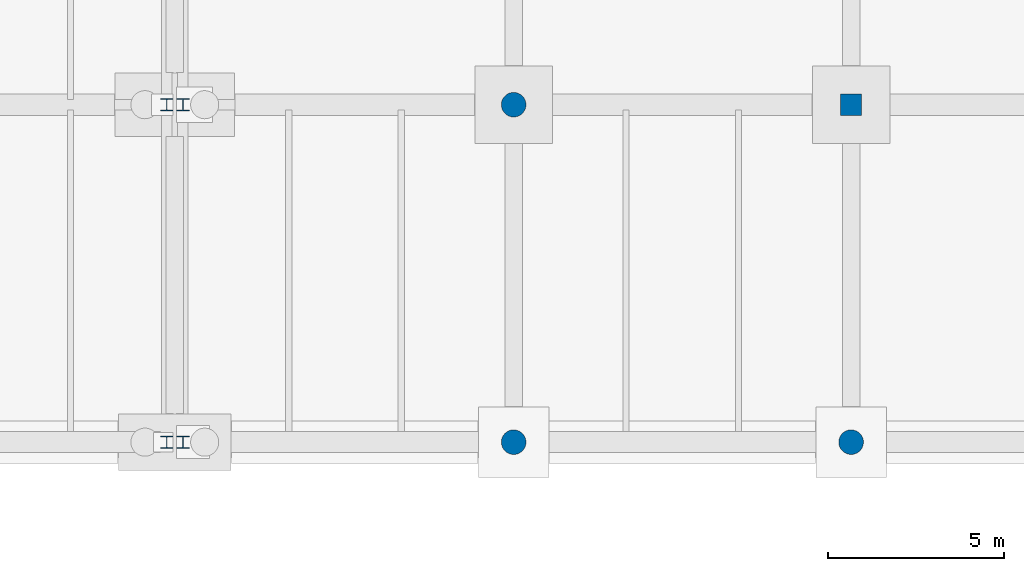
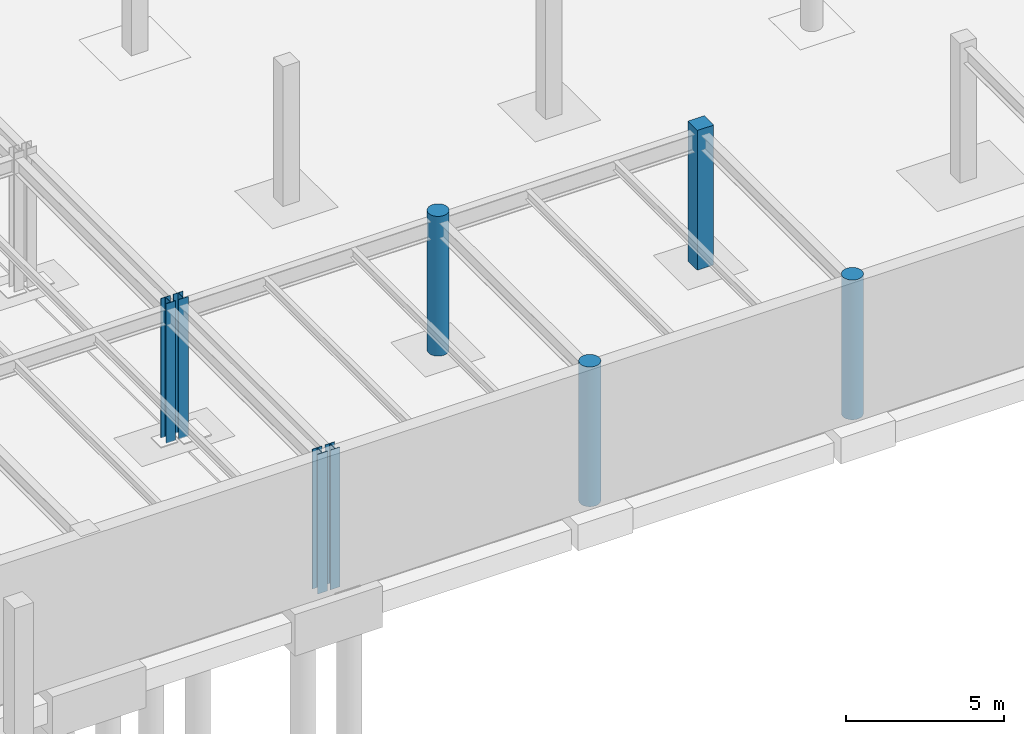
# One storey, part 11 of 50: 8 columns.
"""IFC4 building model written with IfcOpenShell, lengths in metres."""

from ifc_helpers import new_model, si_unit, direction, frame, origin, origin_2d, place, context, subcontext, project, spatial, rectangle, circle, i_section, extrude, material, material_profile, profile_set, type_object, element, save


model = new_model("IFC4")

# Units and contexts
model_context = context("Model", 3, precision=1e-05, world=origin(), true_north=direction((0.0, 1.0)))
body_context = subcontext(model_context, "Body", "Model", "MODEL_VIEW")
ifc_project = project(units=[si_unit("LENGTHUNIT", "METRE"), si_unit("AREAUNIT", "SQUARE_METRE"), si_unit("VOLUMEUNIT", "CUBIC_METRE"), si_unit("PLANEANGLEUNIT", "RADIAN"), si_unit("MASSUNIT", "GRAM", prefix="KILO")], contexts=[model_context])

# Site, building, storey
site_placement = place(None, origin())
site = spatial("IfcSite", under=ifc_project, at=site_placement, CompositionType="ELEMENT")
building_placement = place(site_placement, origin())
building = spatial("IfcBuilding", under=site, at=building_placement, Name="Yeouljin Market Hall", CompositionType="ELEMENT")
storey_placement = place(building_placement, frame((0.0, 0.0, -5.39990234375)))
storey = spatial("IfcBuildingStorey", under=building, at=storey_placement, Name="B1", CompositionType="ELEMENT", Elevation=-5.39990234375)

# Columns
ifc_material_1 = material(Name="Steel SM355", Category="steel")
ifc_material_profile_1 = material_profile(ifc_material_1, i_section(OverallWidth=0.35009765625, OverallDepth=0.35009765625, WebThickness=0.011962890625, FlangeThickness=0.01904296875, FilletRadius=0.02001953125, at=origin_2d()), Name="H-350x350x12x19")
ifc_profile_set_1 = profile_set([ifc_material_profile_1], Name="Steel SM355")
column_type_1 = type_object("IfcColumnType", Name="Col_H-350x350x12x19", PredefinedType="COLUMN", material=ifc_profile_set_1)
for number, where, z_axis, x_axis, name in (
    (1, (35.1298828125, 0.0, 0.0), (0.0, 0.0, 1.0), (1.0, 0.0, 0.0), "Column G-04-00 (B1)"),
    (2, (35.1298828125, 9.60009765625, 0.0), (0.0, 0.0, 1.0), (1.0, 0.0, 0.0), "Column G-04-01 (B1)"),
    (3, (35.590087890625, 0.0, 0.0), (0.0, 0.0, 1.0), (1.0, 0.0, 0.0), "Column G-05-00 (B1)"),
    (4, (35.590087890625, 9.60009765625, 0.0), (0.0, 0.0, 1.0), (1.0, 0.0, 0.0), "Column G-05-01 (B1)"),
):
    element("IfcColumn", number, at=place(storey_placement, frame(where, z_axis=z_axis, x_axis=x_axis)), inside=storey, type_object=column_type_1, Name=name, PredefinedType="COLUMN", context=body_context, shape_type="SweptSolid", body=[
        extrude(i_section(OverallWidth=0.35009765625, OverallDepth=0.35009765625, WebThickness=0.011962890625, FlangeThickness=0.01904296875, FilletRadius=0.02001953125, at=origin_2d()), origin(), (0.0, 0.0, 1.0), 5.39990234375),
    ])
ifc_material_2 = material(Name="Concrete C35/45", Category="concrete")
ifc_material_profile_2 = material_profile(ifc_material_2, rectangle(XDim=0.60009765625, YDim=0.60009765625, at=origin_2d()), Name="RC-600x600")
ifc_profile_set_2 = profile_set([ifc_material_profile_2], Name="Concrete C35/45")
column_type_2 = type_object("IfcColumnType", Name="Col_RC-600x600", PredefinedType="COLUMN", material=ifc_profile_set_2)
column_placement = place(storey_placement, frame((54.60009765625, 9.60009765625, 0.0), z_axis=(0.0, 0.0, 1.0), x_axis=(1.0, 0.0, 0.0)))
element("IfcColumn", 5, at=column_placement, inside=storey, type_object=column_type_2, Name="Column G-07-01 (B1)", PredefinedType="COLUMN", context=body_context, shape_type="SweptSolid", body=[
    extrude(rectangle(XDim=0.60009765625, YDim=0.60009765625, at=origin_2d()), origin(), (0.0, 0.0, 1.0), 5.39990234375),
])
ifc_material_3 = material(Name="Concrete C35/45", Category="concrete")
ifc_material_profile_3 = material_profile(ifc_material_3, circle(Radius=0.35009765625, at=origin_2d()), Name="RC-D700")
ifc_profile_set_3 = profile_set([ifc_material_profile_3], Name="Concrete C35/45")
column_type_3 = type_object("IfcColumnType", Name="Col_RC-D700", PredefinedType="COLUMN", material=ifc_profile_set_3)
for number, where, z_axis, x_axis, name in (
    (6, (45.0, 0.0, 0.0), (0.0, 0.0, 1.0), (1.0, 0.0, 0.0), "Column G-06-00 (B1)"),
    (7, (45.0, 9.60009765625, 0.0), (0.0, 0.0, 1.0), (1.0, 0.0, 0.0), "Column G-06-01 (B1)"),
    (8, (54.60009765625, 0.0, 0.0), (0.0, 0.0, 1.0), (1.0, 0.0, 0.0), "Column G-07-00 (B1)"),
):
    element("IfcColumn", number, at=place(storey_placement, frame(where, z_axis=z_axis, x_axis=x_axis)), inside=storey, type_object=column_type_3, Name=name, PredefinedType="COLUMN", context=body_context, shape_type="SweptSolid", body=[
        extrude(circle(Radius=0.35009765625, at=origin_2d()), origin(), (0.0, 0.0, 1.0), 5.39990234375),
    ])

save(model, "model.ifc")
